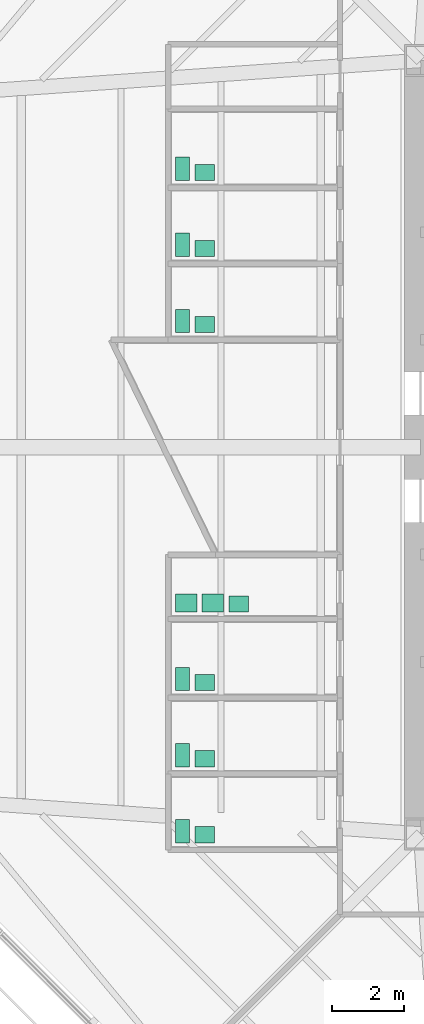
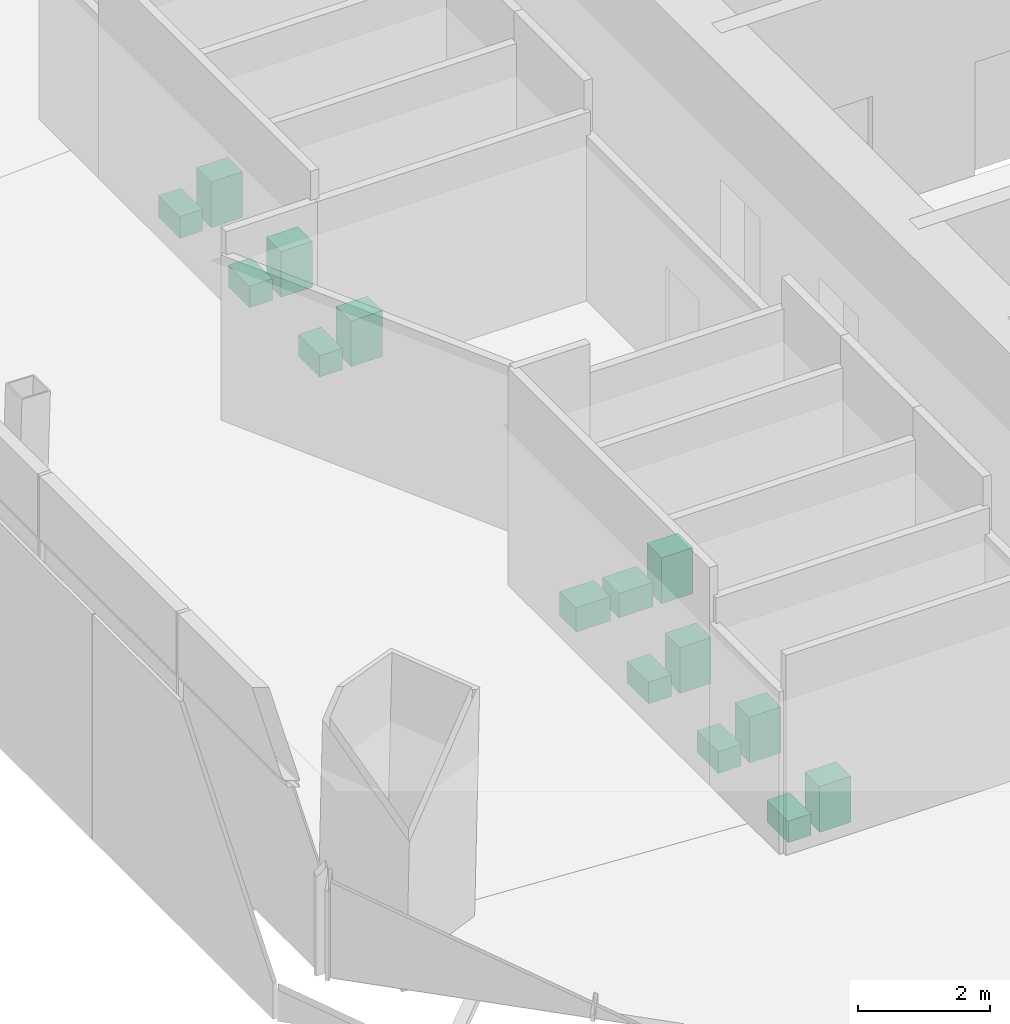
# One storey, part 17 of 17: 15 sanitary terminals.
"""IFC4 building model written with IfcOpenShell, lengths in metres."""

from ifc_helpers import new_model, si_unit, direction, frame, origin, origin_2d, place, context, subcontext, project, spatial, rectangle, extrude, material, type_object, element, save


model = new_model("IFC4")

# Units and contexts
model_context = context("Model", 3, precision=1e-05, world=origin(), true_north=direction((0.0, 1.0)))
body_context = subcontext(model_context, "Body", "Model", "MODEL_VIEW")
ifc_project = project(units=[si_unit("LENGTHUNIT", "METRE"), si_unit("AREAUNIT", "SQUARE_METRE"), si_unit("VOLUMEUNIT", "CUBIC_METRE"), si_unit("PLANEANGLEUNIT", "RADIAN"), si_unit("MASSUNIT", "GRAM", prefix="KILO")], contexts=[model_context])

# Site, building, storey
site_placement = place(None, origin())
site = spatial("IfcSite", under=ifc_project, at=site_placement, CompositionType="ELEMENT")
building_placement = place(site_placement, origin())
building = spatial("IfcBuilding", under=site, at=building_placement, Name="Mashrafa Tower", CompositionType="ELEMENT")
storey_placement = place(building_placement, frame((0.0, 0.0, 87.60009765625)))
storey = spatial("IfcBuildingStorey", under=building, at=storey_placement, Name="L19", CompositionType="ELEMENT", Elevation=87.60009765625)

# Sanitary terminals
ifc_material_1 = material(Name="Stainless steel", Category="steel")
sanitary_terminal_type_1 = type_object("IfcSanitaryTerminalType", Name="Ablution wash station 600 x 500", PredefinedType="WASHHANDBASIN", material=ifc_material_1)
for number, where, z_axis, x_axis, name in (
    (1, (-17.35009765625, -4.35009765625, 0.0), (0.0, 0.0, 1.0), (1.0, 0.0, 0.0), "Ablution wash station Ablution Room L19 S"),
    (2, (-16.60009765625, -4.35009765625, 0.0), (0.0, 0.0, 1.0), (1.0, 0.0, 0.0), "Ablution wash station Ablution Room L19 S"),
):
    element("IfcSanitaryTerminal", number, at=place(storey_placement, frame(where, z_axis=z_axis, x_axis=x_axis)), inside=storey, type_object=sanitary_terminal_type_1, Name=name, PredefinedType="WASHHANDBASIN", context=body_context, shape_type="SweptSolid", body=[
        extrude(rectangle(XDim=0.60009765625, YDim=0.5, at=origin_2d()), origin(), (0.0, 0.0, 1.0), 0.449951171875),
    ])
ifc_material_2 = material(Name="Vitreous china")
sanitary_terminal_type_2 = type_object("IfcSanitaryTerminalType", Name="Toilet pan 400 x 650", PredefinedType="TOILETPAN", material=ifc_material_2)
for number, where, z_axis, x_axis, name in (
    (3, (-17.449951171875, 3.52490234375, 0.0), (0.0, 0.0, 1.0), (1.0, 0.0, 0.0), "Toilet pan WC Female L19 N"),
    (4, (-17.449951171875, 5.64990234375, 0.0), (0.0, 0.0, 1.0), (1.0, 0.0, 0.0), "Toilet pan WC Male L19 N"),
    (5, (-17.449951171875, 7.77490234375, 0.0), (0.0, 0.0, 1.0), (1.0, 0.0, 0.0), "Toilet pan Accessible WC L19 N"),
    (6, (-17.449951171875, -10.72509765625, 0.0), (0.0, 0.0, 1.0), (1.0, 0.0, 0.0), "Toilet pan WC Female L19 S"),
    (7, (-17.449951171875, -8.60009765625, 0.0), (0.0, 0.0, 1.0), (1.0, 0.0, 0.0), "Toilet pan WC Male L19 S"),
    (8, (-17.449951171875, -6.47509765625, 0.0), (0.0, 0.0, 1.0), (1.0, 0.0, 0.0), "Toilet pan Accessible WC L19 S"),
):
    element("IfcSanitaryTerminal", number, at=place(storey_placement, frame(where, z_axis=z_axis, x_axis=x_axis)), inside=storey, type_object=sanitary_terminal_type_2, Name=name, PredefinedType="TOILETPAN", context=body_context, shape_type="SweptSolid", body=[
        extrude(rectangle(XDim=0.39990234375, YDim=0.64990234375, at=origin_2d()), origin(), (0.0, 0.0, 1.0), 0.39990234375),
    ])
ifc_material_3 = material(Name="Vitreous china")
sanitary_terminal_type_3 = type_object("IfcSanitaryTerminalType", Name="Wash basin 550 x 450", PredefinedType="WASHHANDBASIN", material=ifc_material_3)
for number, where, z_axis, x_axis, name in (
    (9, (-16.824951171875, 3.425048828125, -0.000244140625), (0.0, 0.0, 1.0), (1.0, 0.0, 0.0), "Wash basin WC Female L19 N"),
    (10, (-16.824951171875, 5.550048828125, -0.000244140625), (0.0, 0.0, 1.0), (1.0, 0.0, 0.0), "Wash basin WC Male L19 N"),
    (11, (-16.824951171875, 7.675048828125, -0.000244140625), (0.0, 0.0, 1.0), (1.0, 0.0, 0.0), "Wash basin Accessible WC L19 N"),
    (12, (-16.824951171875, -10.824951171875, -0.000244140625), (0.0, 0.0, 1.0), (1.0, 0.0, 0.0), "Wash basin WC Female L19 S"),
    (13, (-16.824951171875, -8.699951171875, -0.000244140625), (0.0, 0.0, 1.0), (1.0, 0.0, 0.0), "Wash basin WC Male L19 S"),
    (14, (-16.824951171875, -6.574951171875, -0.000244140625), (0.0, 0.0, 1.0), (1.0, 0.0, 0.0), "Wash basin Accessible WC L19 S"),
    (15, (-15.875, -4.375, -0.000244140625), (0.0, 0.0, 1.0), (1.0, 0.0, 0.0), "Wash basin Ablution Room L19 S"),
):
    element("IfcSanitaryTerminal", number, at=place(storey_placement, frame(where, z_axis=z_axis, x_axis=x_axis)), inside=storey, type_object=sanitary_terminal_type_3, Name=name, PredefinedType="WASHHANDBASIN", context=body_context, shape_type="SweptSolid", body=[
        extrude(rectangle(XDim=0.550048828125, YDim=0.449951171875, at=origin_2d()), origin(), (0.0, 0.0, 1.0), 0.85009765625),
    ])

save(model, "model.ifc")
